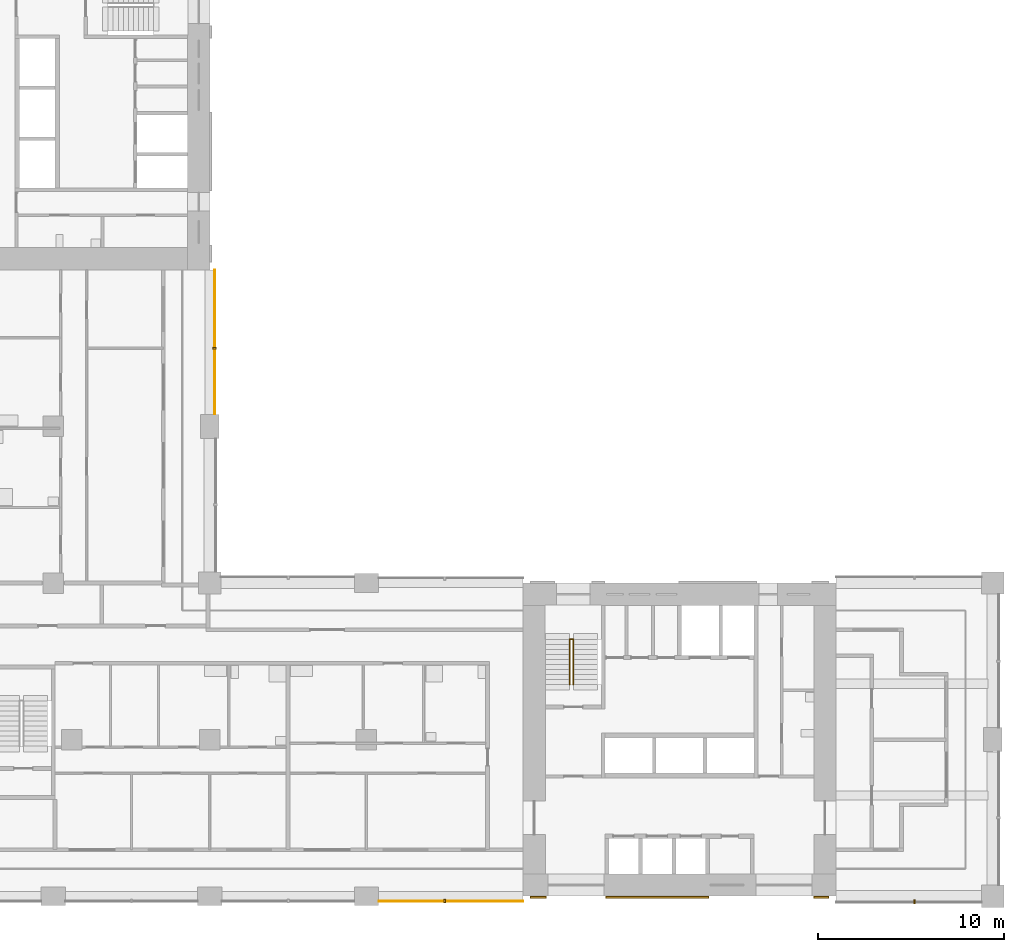
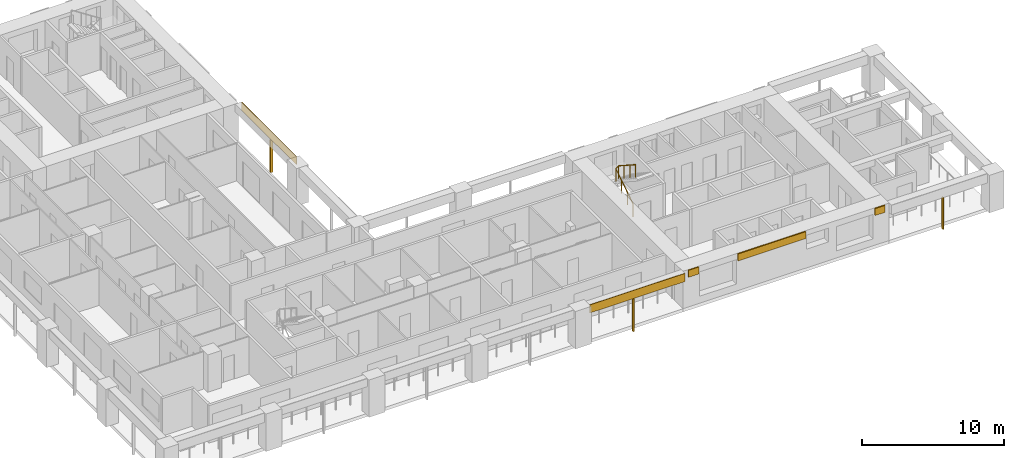
# One storey, part 11 of 17: 8 shading devices, 1 railing.
"""IFC4 building model written with IfcOpenShell, lengths in metres."""

from ifc_helpers import new_model, si_unit, direction, frame, origin, origin_2d, place, context, subcontext, project, spatial, rectangle, circle, extrude, material, layer, layer_set, material_profile, profile_set, type_object, element, save


model = new_model("IFC4")

# Units and contexts
model_context = context("Model", 3, precision=1e-05, world=origin(), true_north=direction((0.0, 1.0)))
body_context = subcontext(model_context, "Body", "Model", "MODEL_VIEW")
ifc_project = project(units=[si_unit("LENGTHUNIT", "METRE"), si_unit("AREAUNIT", "SQUARE_METRE"), si_unit("VOLUMEUNIT", "CUBIC_METRE"), si_unit("PLANEANGLEUNIT", "RADIAN"), si_unit("MASSUNIT", "GRAM", prefix="KILO")], contexts=[model_context])

# Site, building, storey
site_placement = place(None, origin())
site = spatial("IfcSite", under=ifc_project, at=site_placement, CompositionType="ELEMENT")
building_placement = place(site_placement, origin())
building = spatial("IfcBuilding", under=site, at=building_placement, Name="Vermilion Gate Residences", CompositionType="ELEMENT")
storey_placement = place(building_placement, frame((0.0, 0.0, 112.699951171875)))
storey = spatial("IfcBuildingStorey", under=building, at=storey_placement, Name="L28", CompositionType="ELEMENT", Elevation=112.699951171875)

# Shading devices
ifc_material_1 = material(Name="Perforated terracotta", Category="masonry")
ifc_layer_1 = layer(ifc_material_1, 0.0400390625)
ifc_layer_set_1 = layer_set([ifc_layer_1], Name="PERFORATED TERRACOTTA SCREEN 40")
shading_device_type_1 = type_object("IfcShadingDeviceType", Name="PERFORATED TERRACOTTA SCREEN 40", PredefinedType="SHUTTER", material=ifc_layer_set_1)
for number, where, z_axis, x_axis, name in (
    (1, (38.125, 8.1298828125, 2.52001953125), (0.0, 0.0, 1.0), (1.0, 0.0, 0.0), "SCREEN"),
    (2, (25.469970703125, 38.125, 2.52001953125), (0.0, 0.0, 1.0), (0.0, 1.0, 0.0), "SCREEN"),
):
    element("IfcShadingDevice", number, at=place(storey_placement, frame(where, z_axis=z_axis, x_axis=x_axis)), inside=storey, type_object=shading_device_type_1, Name=name, PredefinedType="SHUTTER", context=body_context, shape_type="SweptSolid", body=[
        extrude(rectangle(XDim=7.75, YDim=0.0400390625, at=origin_2d()), origin(), (0.0, 0.0, 1.0), 0.699951171875),
    ])

# Railing
ifc_material_2 = material(Name="Steel S355", Category="steel")
railing_type = type_object("IfcRailingType", Name="STAIR GUARD 1100 STEEL", PredefinedType="GUARDRAIL", material=ifc_material_2)
railing_placement = place(storey_placement, frame((44.5, 19.75, 0.175048828125)))
element("IfcRailing", 3, at=railing_placement, inside=storey, type_object=railing_type, Name="Stair well guard STA1-28", PredefinedType="GUARDRAIL", context=body_context, shape_type="SweptSolid", body=[
    extrude(circle(Radius=0.02392578125, at=origin_2d()), frame((0.0, 0.0, 1.076171875), z_axis=(0.0, 0.839153699163, 0.543894354798), x_axis=(-1.0, 0.0, 0.0)), (0.0, 0.0, 1.0), 2.895751953125),
    extrude(circle(Radius=0.02392578125, at=origin_2d()), frame((0.0, 2.429931640625, 2.65087890625), z_axis=(0.752405939678, 0.0, 0.658699705433), x_axis=(0.0, 1.0, 0.0)), (0.0, 0.0, 1.0), 0.265869140625),
    extrude(circle(Radius=0.02392578125, at=origin_2d()), frame((0.199951171875, 2.429931640625, 2.826171875), z_axis=(0.0, -0.839153699163, 0.543894354798), x_axis=(1.0, 0.0, 0.0)), (0.0, 0.0, 1.0), 2.895751953125),
    extrude(circle(Radius=0.02099609375, at=origin_2d()), origin(), (0.0, 0.0, 1.0), 1.052001953125),
    extrude(circle(Radius=0.02099609375, at=origin_2d()), frame((0.0, 0.81005859375, 0.52490234375)), (0.0, 0.0, 1.0), 1.052001953125),
    extrude(circle(Radius=0.02099609375, at=origin_2d()), frame((0.0, 1.619873046875, 1.050048828125)), (0.0, 0.0, 1.0), 1.052001953125),
    extrude(circle(Radius=0.02099609375, at=origin_2d()), frame((0.0, 2.429931640625, 1.574951171875)), (0.0, 0.0, 1.0), 1.052001953125),
    extrude(circle(Radius=0.02099609375, at=origin_2d()), frame((0.199951171875, 2.429931640625, 1.75)), (0.0, 0.0, 1.0), 1.052001953125),
    extrude(circle(Radius=0.02099609375, at=origin_2d()), frame((0.199951171875, 1.619873046875, 2.27490234375)), (0.0, 0.0, 1.0), 1.052001953125),
    extrude(circle(Radius=0.02099609375, at=origin_2d()), frame((0.199951171875, 0.81005859375, 2.800048828125)), (0.0, 0.0, 1.0), 1.052001953125),
    extrude(circle(Radius=0.02099609375, at=origin_2d()), frame((0.199951171875, 0.0, 3.324951171875)), (0.0, 0.0, 1.0), 1.052001953125),
])

# Shading devices
ifc_material_3 = material(Name="Extruded terracotta", Category="masonry")
ifc_material_profile = material_profile(ifc_material_3, rectangle(XDim=0.199951171875, YDim=0.10009765625, at=origin_2d()), Name="BAGUETTE 100 X 200")
ifc_profile_set = profile_set([ifc_material_profile], Name="Extruded terracotta")
shading_device_type_2 = type_object("IfcShadingDeviceType", Name="TERRACOTTA BAGUETTE 100 X 200", PredefinedType="JALOUSIE", material=ifc_profile_set)
shading_device_1_placement = place(storey_placement, frame((37.800048828125, 8.14990234375, -0.280029296875), z_axis=(0.0, 0.0, 1.0), x_axis=(0.0, 1.0, 0.0)))
element("IfcShadingDevice", 4, at=shading_device_1_placement, inside=storey, type_object=shading_device_type_2, Name="BAGUETTE", PredefinedType="JALOUSIE", context=body_context, shape_type="SweptSolid", body=[
    extrude(rectangle(XDim=0.199951171875, YDim=0.10009765625, at=origin_2d()), origin(), (0.0, 0.0, 1.0), 2.800048828125),
])
shading_device_2_placement = place(storey_placement, frame((63.0, 8.10009765625, -0.280029296875), z_axis=(0.0, 0.0, 1.0), x_axis=(0.0, 1.0, 0.0)))
element("IfcShadingDevice", 5, at=shading_device_2_placement, inside=storey, type_object=shading_device_type_2, Name="BAGUETTE", PredefinedType="JALOUSIE", context=body_context, shape_type="SweptSolid", body=[
    extrude(rectangle(XDim=0.199951171875, YDim=0.10009765625, at=origin_2d()), origin(), (0.0, 0.0, 1.0), 2.7001953125),
])
shading_device_3_placement = place(storey_placement, frame((25.449951171875, 37.800048828125, -0.280029296875), z_axis=(0.0, 0.0, 1.0), x_axis=(-1.0, 0.0, 0.0)))
element("IfcShadingDevice", 6, at=shading_device_3_placement, inside=storey, type_object=shading_device_type_2, Name="BAGUETTE", PredefinedType="JALOUSIE", context=body_context, shape_type="SweptSolid", body=[
    extrude(rectangle(XDim=0.199951171875, YDim=0.10009765625, at=origin_2d()), origin(), (0.0, 0.0, 1.0), 2.800048828125),
])
ifc_material_4 = material(Name="Extruded terracotta", Category="masonry")
ifc_layer_2 = layer(ifc_material_4, 0.10009765625)
ifc_layer_set_2 = layer_set([ifc_layer_2], Name="TERRACOTTA SPANDREL BAND 600 X 100")
shading_device_type_3 = type_object("IfcShadingDeviceType", Name="TERRACOTTA SPANDREL BAND 600 X 100", PredefinedType="USERDEFINED", material=ifc_layer_set_2)
shading_device_4_placement = place(storey_placement, frame((42.824951171875, 8.35009765625, 2.6201171875), z_axis=(0.0, 0.0, 1.0), x_axis=(1.0, 0.0, 0.0)))
element("IfcShadingDevice", 7, at=shading_device_4_placement, inside=storey, type_object=shading_device_type_3, Name="SPANDREL BAND", ObjectType="BAND", PredefinedType="USERDEFINED", context=body_context, shape_type="SweptSolid", body=[
    extrude(rectangle(XDim=0.85009765625, YDim=0.10009765625, at=origin_2d()), origin(), (0.0, 0.0, 1.0), 0.60009765625),
])
shading_device_5_placement = place(storey_placement, frame((49.199951171875, 8.35009765625, 2.6201171875), z_axis=(0.0, 0.0, 1.0), x_axis=(1.0, 0.0, 0.0)))
element("IfcShadingDevice", 8, at=shading_device_5_placement, inside=storey, type_object=shading_device_type_3, Name="SPANDREL BAND", ObjectType="BAND", PredefinedType="USERDEFINED", context=body_context, shape_type="SweptSolid", body=[
    extrude(rectangle(XDim=5.5, YDim=0.10009765625, at=origin_2d()), origin(), (0.0, 0.0, 1.0), 0.60009765625),
])
shading_device_6_placement = place(storey_placement, frame((58.0, 8.35009765625, 2.6201171875), z_axis=(0.0, 0.0, 1.0), x_axis=(1.0, 0.0, 0.0)))
element("IfcShadingDevice", 9, at=shading_device_6_placement, inside=storey, type_object=shading_device_type_3, Name="SPANDREL BAND", ObjectType="BAND", PredefinedType="USERDEFINED", context=body_context, shape_type="SweptSolid", body=[
    extrude(rectangle(XDim=0.800048828125, YDim=0.10009765625, at=origin_2d()), origin(), (0.0, 0.0, 1.0), 0.60009765625),
])

save(model, "model.ifc")
